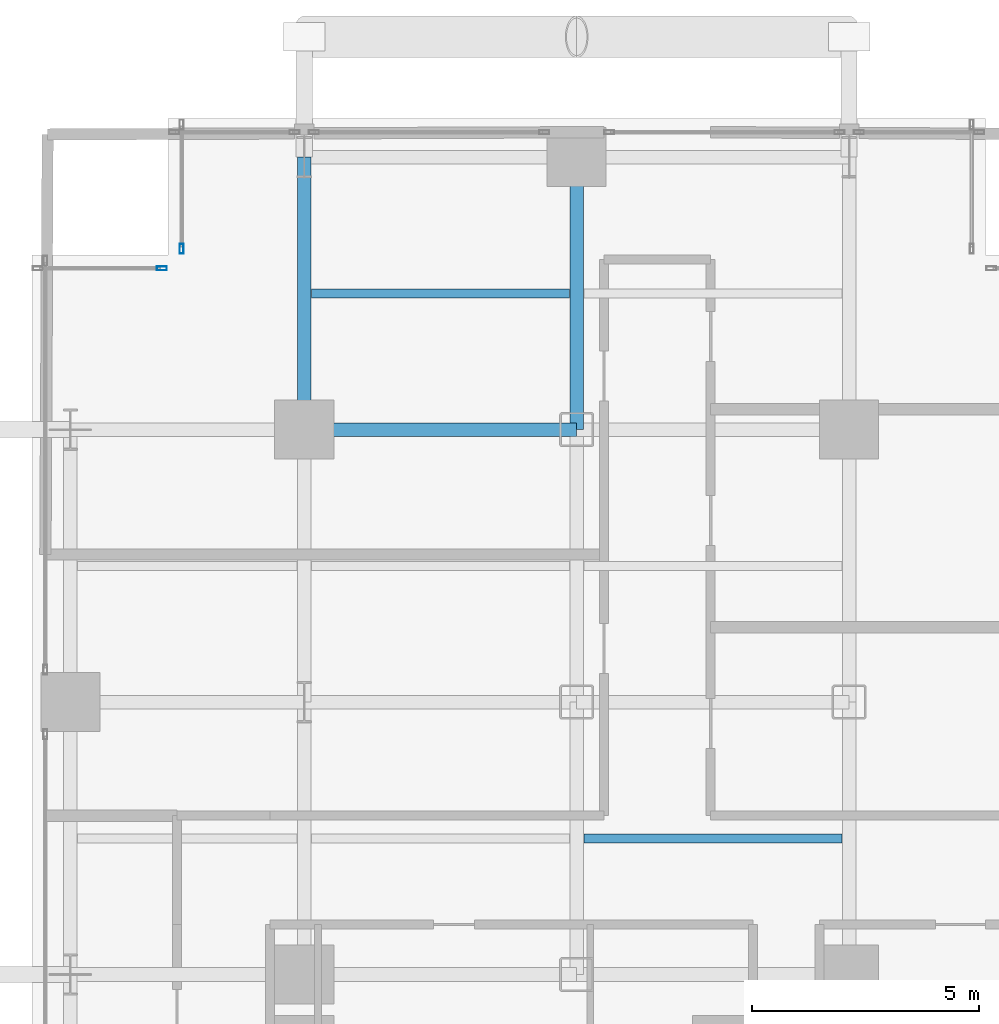
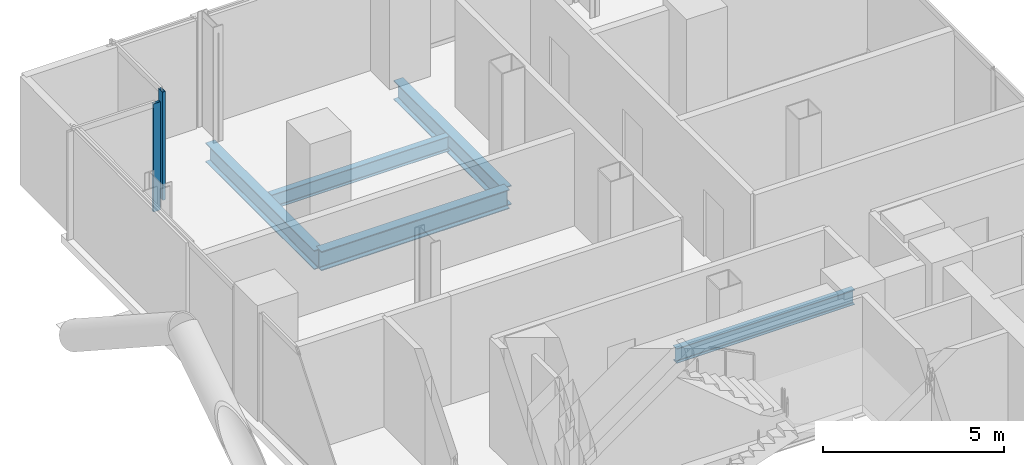
# One storey, part 14 of 25: 5 beams, 2 members, 2 elements without a shape of their own.
"""IFC4 building model written with IfcOpenShell, lengths in metres."""

from ifc_helpers import new_model, si_unit, direction, frame, origin, origin_2d, place, context, subcontext, project, spatial, hollow_rectangle, i_section, extrude, material, layer, layer_set, material_profile, profile_set, type_object, element, aggregate, save


model = new_model("IFC4")

# Units and contexts
model_context = context("Model", 3, precision=1e-05, world=origin(), true_north=direction((0.0, 1.0)))
body_context = subcontext(model_context, "Body", "Model", "MODEL_VIEW")
ifc_project = project(units=[si_unit("LENGTHUNIT", "METRE"), si_unit("AREAUNIT", "SQUARE_METRE"), si_unit("VOLUMEUNIT", "CUBIC_METRE"), si_unit("PLANEANGLEUNIT", "RADIAN"), si_unit("MASSUNIT", "GRAM", prefix="KILO"), si_unit("THERMODYNAMICTEMPERATUREUNIT", "KELVIN"), si_unit("POWERUNIT", "WATT")], contexts=[model_context])

# Site, building, storey
site_placement = place(None, origin())
site = spatial("IfcSite", under=ifc_project, at=site_placement, CompositionType="ELEMENT")
building_placement = place(site_placement, origin())
building = spatial("IfcBuilding", under=site, at=building_placement, Name="Svarakhadi Broadcast Tower", CompositionType="ELEMENT")
storey_placement = place(building_placement, frame((0.0, 0.0, 79.199951171875)))
storey = spatial("IfcBuildingStorey", under=building, at=storey_placement, Name="L18", CompositionType="ELEMENT", Elevation=79.199951171875)

# Beams
ifc_material_1 = material(Name="Steel S355J2 (IS 2062 E350C)", Category="steel")
ifc_material_profile_1 = material_profile(ifc_material_1, i_section(OverallWidth=0.199951171875, OverallDepth=0.5, WebThickness=0.01025390625, FlangeThickness=0.01611328125, FilletRadius=0.02099609375, at=origin_2d()), Name="NPB 500x200x91")
ifc_profile_set_1 = profile_set([ifc_material_profile_1], Name="Steel S355J2 (IS 2062 E350C)")
beam_type_1 = type_object("IfcBeamType", Name="Beam_NPB500", PredefinedType="BEAM", material=ifc_profile_set_1)
for number, where, z_axis, x_axis, name in (
    (1, (6.159912109375, 44.14990234375, -0.5), (1.0, 0.0, 0.0), (0.0, 1.0, 0.0), "L18 Secondary Composite Beam SB012"),
    (2, (12.159912109375, 32.14990234375, -0.5), (1.0, 0.0, 0.0), (0.0, 1.0, 0.0), "L18 Secondary Composite Beam SB016"),
):
    element("IfcBeam", number, at=place(storey_placement, frame(where, z_axis=z_axis, x_axis=x_axis)), inside=storey, type_object=beam_type_1, Name=name, PredefinedType="BEAM", context=body_context, shape_type="SweptSolid", body=[
        extrude(i_section(OverallWidth=0.199951171875, OverallDepth=0.5, WebThickness=0.01025390625, FlangeThickness=0.01611328125, FilletRadius=0.02099609375, at=origin_2d()), origin(), (0.0, 0.0, 1.0), 5.68017578125),
    ])

# Curtain wall, member
ifc_material_2 = material(Name="Anodised Bronze Aluminium AA 6063-T6", Category="aluminium")
ifc_layer = layer(ifc_material_2, 0.219970703125)
ifc_layer_set = layer_set([ifc_layer], Name="Anodised Bronze Aluminium AA 6063-T6")
curtain_wall_type = type_object("IfcCurtainWallType", Name="CW_Sys_02", PredefinedType="NOTDEFINED", material=ifc_layer_set)
curtain_wall_1_placement = place(storey_placement, origin())
curtain_wall_1 = element("IfcCurtainWall", 3, at=curtain_wall_1_placement, inside=storey, type_object=curtain_wall_type, Name="L18 Unitised Facade Curtain Wall 04", PredefinedType="NOTDEFINED")
ifc_material_profile_2 = material_profile(ifc_material_2, hollow_rectangle(XDim=0.0849609375, YDim=0.219970703125, WallThickness=0.006103515625, at=origin_2d()), Name="ALU MULLION 220x85x6")
ifc_profile_set_2 = profile_set([ifc_material_profile_2], Name="Anodised Bronze Aluminium AA 6063-T6")
member_type = type_object("IfcMemberType", Name="CW_Sys_02_Mul", PredefinedType="MULLION", material=ifc_profile_set_2)
member_1_placement = place(storey_placement, frame((2.867431640625, 44.699951171875, 0.0), z_axis=(0.0, 0.0, 1.0), x_axis=(0.0, 1.0, 0.0)))
member_1 = element("IfcMember", 4, at=member_1_placement, type_object=member_type, Name="CW-02 mullion 2", PredefinedType="MULLION", context=body_context, shape_type="SweptSolid", body=[
    extrude(hollow_rectangle(XDim=0.0849609375, YDim=0.219970703125, WallThickness=0.006103515625, at=origin_2d()), origin(), (0.0, 0.0, 1.0), 3.650146484375),
])
aggregate(curtain_wall_1, [member_1])

curtain_wall_2_placement = place(storey_placement, origin())
curtain_wall_2 = element("IfcCurtainWall", 5, at=curtain_wall_2_placement, inside=storey, type_object=curtain_wall_type, Name="L18 Unitised Facade Curtain Wall 05", PredefinedType="NOTDEFINED")
member_2_placement = place(storey_placement, frame((3.300048828125, 45.132568359375, 0.0), z_axis=(0.0, 0.0, 1.0), x_axis=(-1.0, 0.0, 0.0)))
member_2 = element("IfcMember", 6, at=member_2_placement, type_object=member_type, Name="CW-02 mullion 1", PredefinedType="MULLION", context=body_context, shape_type="SweptSolid", body=[
    extrude(hollow_rectangle(XDim=0.0849609375, YDim=0.219970703125, WallThickness=0.006103515625, at=origin_2d()), origin(), (0.0, 0.0, 1.0), 3.650146484375),
])
aggregate(curtain_wall_2, [member_2])

# Beams
ifc_material_profile_3 = material_profile(ifc_material_1, i_section(OverallWidth=0.300048828125, OverallDepth=0.64990234375, WebThickness=0.01611328125, FlangeThickness=0.031005859375, FilletRadius=0.027099609375, at=origin_2d()), Name="WPB 650x300x225")
ifc_profile_set_3 = profile_set([ifc_material_profile_3], Name="Steel S355J2 (IS 2062 E350C)")
beam_type_2 = type_object("IfcBeamType", Name="Girder_WPB650", PredefinedType="USERDEFINED", material=ifc_profile_set_3)
for number, where, z_axis, x_axis, name in (
    (7, (6.0, 41.14990234375, -0.574951171875), (1.0, 0.0, 0.0), (0.0, 1.0, 0.0), "L18 Primary E-W Girder G041"),
    (8, (6.0, 41.14990234375, -0.574951171875), (0.0, 1.0, 0.0), (-1.0, 0.0, 0.0), "L18 Primary N-S Girder G057"),
    (9, (12.0, 41.14990234375, -0.574951171875), (0.0, 1.0, 0.0), (-1.0, 0.0, 0.0), "L18 Primary N-S Girder G063"),
):
    element("IfcBeam", number, at=place(storey_placement, frame(where, z_axis=z_axis, x_axis=x_axis)), inside=storey, type_object=beam_type_2, Name=name, ObjectType="GIRDER", PredefinedType="USERDEFINED", context=body_context, shape_type="SweptSolid", body=[
        extrude(i_section(OverallWidth=0.300048828125, OverallDepth=0.64990234375, WebThickness=0.01611328125, FlangeThickness=0.031005859375, FilletRadius=0.027099609375, at=origin_2d()), origin(), (0.0, 0.0, 1.0), 6.0),
    ])

save(model, "model.ifc")
